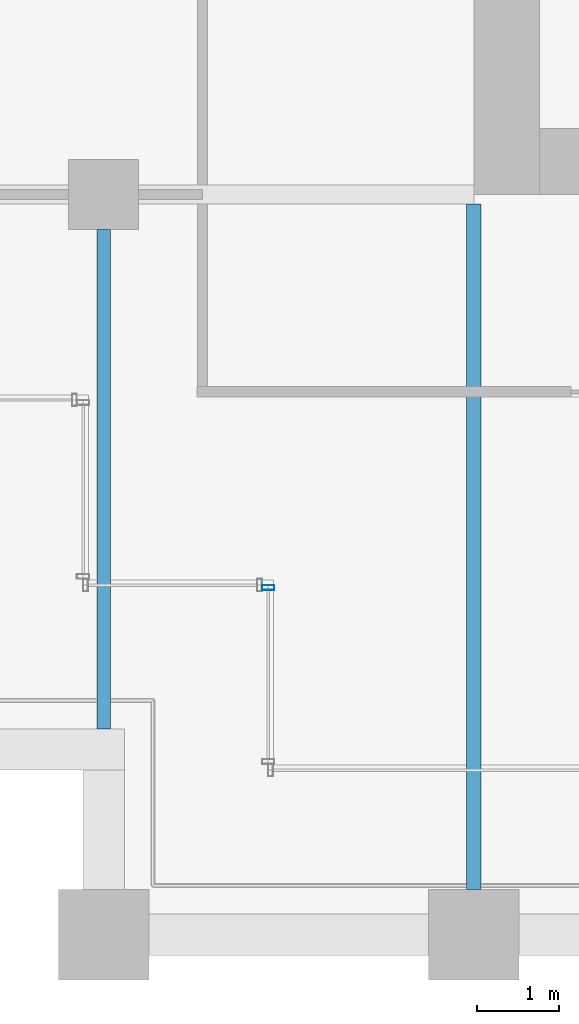
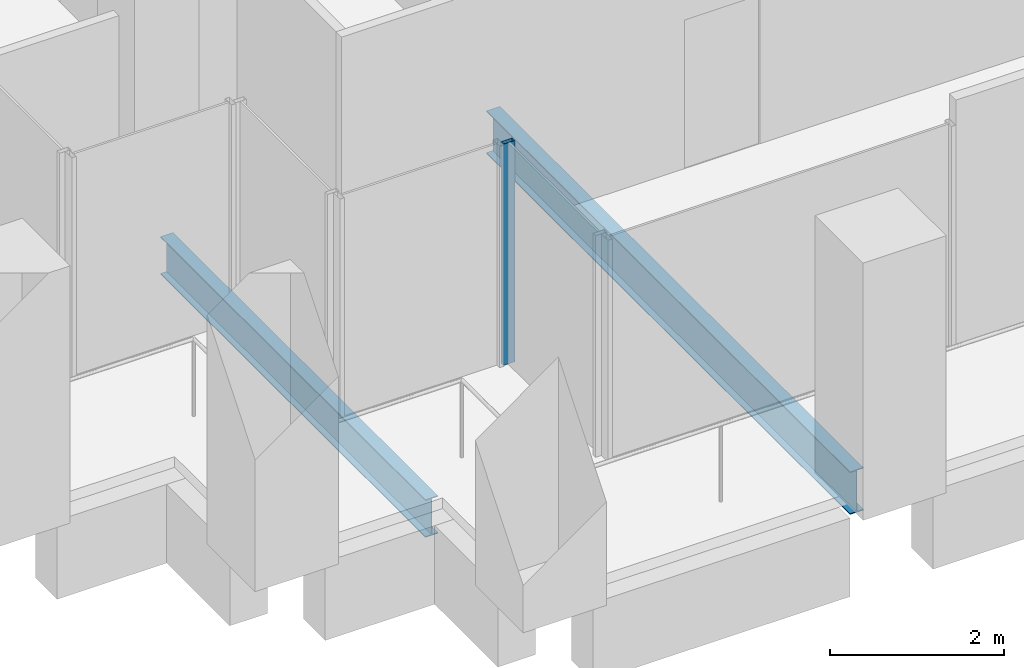
# One storey, part 35 of 56: 2 beams, 1 member, 1 element without a shape of its own.
"""IFC4 building model written with IfcOpenShell, lengths in metres."""

from ifc_helpers import new_model, si_unit, direction, frame, origin, origin_2d, place, context, subcontext, project, spatial, hollow_rectangle, i_section, extrude, material, material_profile, profile_set, type_object, element, aggregate, save


model = new_model("IFC4")

# Units and contexts
model_context = context("Model", 3, precision=1e-05, world=origin(), true_north=direction((0.0, 1.0)))
body_context = subcontext(model_context, "Body", "Model", "MODEL_VIEW")
ifc_project = project(units=[si_unit("LENGTHUNIT", "METRE"), si_unit("AREAUNIT", "SQUARE_METRE"), si_unit("VOLUMEUNIT", "CUBIC_METRE"), si_unit("PLANEANGLEUNIT", "RADIAN"), si_unit("MASSUNIT", "GRAM", prefix="KILO")], contexts=[model_context])

# Site, building, storey
site_placement = place(None, origin())
site = spatial("IfcSite", under=ifc_project, at=site_placement, CompositionType="ELEMENT")
building_placement = place(site_placement, origin())
building = spatial("IfcBuilding", under=site, at=building_placement, Name="Altepetl Exchange Towers", CompositionType="ELEMENT")
storey_placement = place(building_placement, frame((0.0, 0.0, 79.800048828125)))
storey = spatial("IfcBuildingStorey", under=building, at=storey_placement, Name="L19", CompositionType="ELEMENT", Elevation=79.800048828125)

# Beams
ifc_material_1 = material(Name="Steel S355", Category="steel")
ifc_material_profile_1 = material_profile(ifc_material_1, i_section(OverallWidth=0.166015625, OverallDepth=0.529052734375, WebThickness=0.009765625, FlangeThickness=0.013671875, at=origin_2d()), Name="W21X50")
ifc_profile_set_1 = profile_set([ifc_material_profile_1], Name="Steel S355")
beam_type_1 = type_object("IfcBeamType", Name="Floor beam W21X50", PredefinedType="BEAM", material=ifc_profile_set_1)
beam_1_placement = place(storey_placement, frame((99.0, 29.5, -0.41455078125), z_axis=(0.0, 1.0, 0.0), x_axis=(-1.0, 0.0, 0.0)))
element("IfcBeam", 1, at=beam_1_placement, inside=storey, type_object=beam_type_1, Name="bm:B:L19:008", PredefinedType="BEAM", context=body_context, shape_type="SweptSolid", body=[
    extrude(i_section(OverallWidth=0.166015625, OverallDepth=0.529052734375, WebThickness=0.009765625, FlangeThickness=0.013671875, at=origin_2d()), origin(), (0.0, 0.0, 1.0), 6.074951171875),
])
ifc_material_profile_2 = material_profile(ifc_material_1, i_section(OverallWidth=0.177978515625, OverallDepth=0.59912109375, WebThickness=0.010009765625, FlangeThickness=0.0126953125, at=origin_2d()), Name="W24X55")
ifc_profile_set_2 = profile_set([ifc_material_profile_2], Name="Steel S355")
beam_type_2 = type_object("IfcBeamType", Name="Floor beam W24X55", PredefinedType="BEAM", material=ifc_profile_set_2)
beam_2_placement = place(storey_placement, frame((103.5, 27.550048828125, -0.449462890625), z_axis=(0.0, 1.0, 0.0), x_axis=(-1.0, 0.0, 0.0)))
element("IfcBeam", 2, at=beam_2_placement, inside=storey, type_object=beam_type_2, Name="bm:B:L19:009", PredefinedType="BEAM", context=body_context, shape_type="SweptSolid", body=[
    extrude(i_section(OverallWidth=0.177978515625, OverallDepth=0.59912109375, WebThickness=0.010009765625, FlangeThickness=0.0126953125, at=origin_2d()), origin(), (0.0, 0.0, 1.0), 8.3359375),
])

# Curtain wall, member
ifc_material_2 = material(Name="Aluminium 6063-T6 glazing", Category="aluminium")
curtain_wall_type = type_object("IfcCurtainWallType", Name="Loggia glazing system", PredefinedType="NOTDEFINED", material=ifc_material_2)
curtain_wall_placement = place(storey_placement, origin())
curtain_wall = element("IfcCurtainWall", 3, at=curtain_wall_placement, inside=storey, type_object=curtain_wall_type, Name="CW1 run", PredefinedType="NOTDEFINED")
ifc_material_3 = material(Name="Aluminium 6063-T6", Category="aluminium")
ifc_material_profile_3 = material_profile(ifc_material_3, hollow_rectangle(XDim=0.06005859375, YDim=0.14990234375, WallThickness=0.0029296875, at=origin_2d()), Name="Mullion 60x150 aluminium")
ifc_profile_set_3 = profile_set([ifc_material_profile_3], Name="Aluminium 6063-T6")
member_type = type_object("IfcMemberType", Name="Mullion 60x150 aluminium", PredefinedType="MULLION", material=ifc_profile_set_3)
member_placement = place(storey_placement, frame((101.0, 31.219970703125, 0.0), z_axis=(0.0, 0.0, 1.0), x_axis=(0.0, -1.0, 0.0)))
member = element("IfcMember", 4, at=member_placement, type_object=member_type, Name="MU1 mullion", PredefinedType="MULLION", context=body_context, shape_type="SweptSolid", body=[
    extrude(hollow_rectangle(XDim=0.06005859375, YDim=0.14990234375, WallThickness=0.0029296875, at=origin_2d()), origin(), (0.0, 0.0, 1.0), 3.099853515625),
])
aggregate(curtain_wall, [member])

save(model, "model.ifc")
